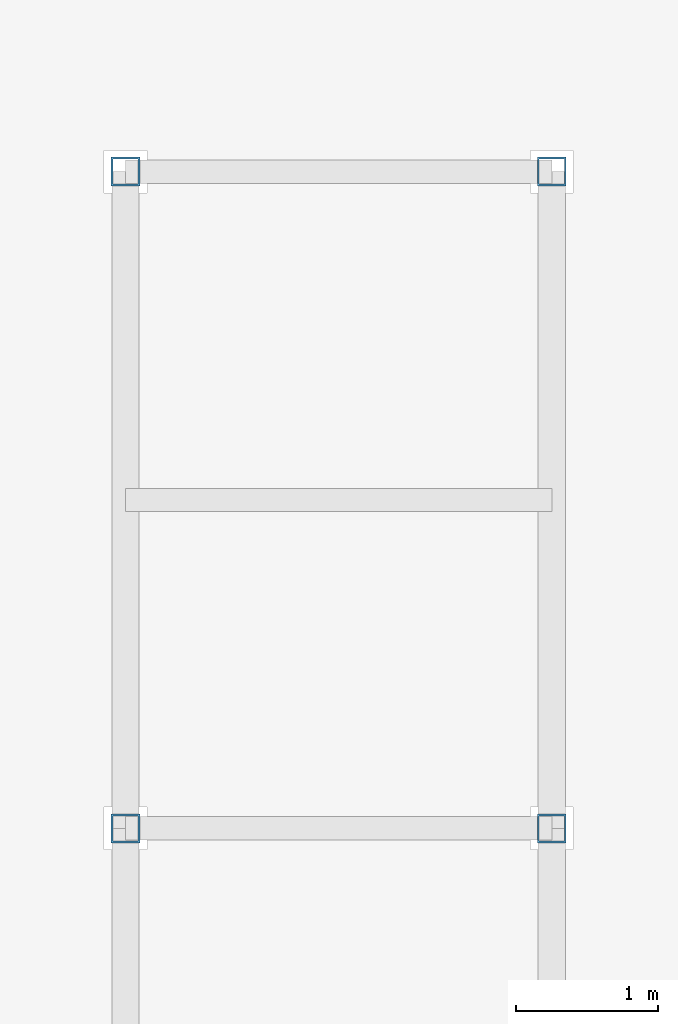
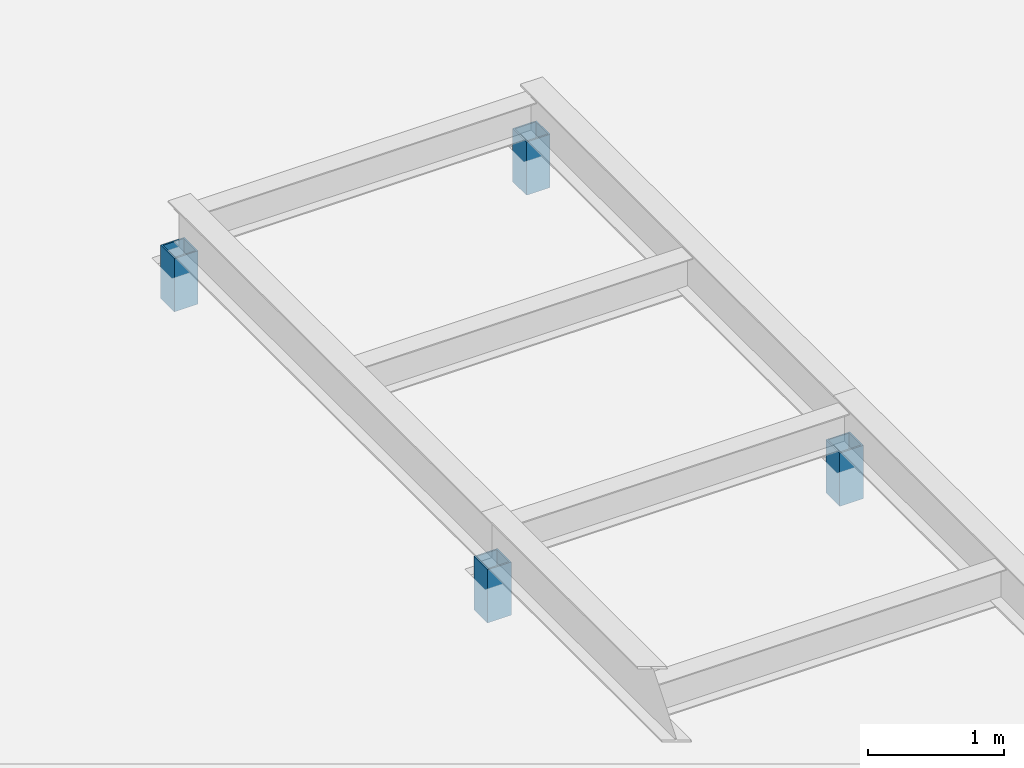
# One storey, part 6 of 17: 4 members.
"""IFC4 building model written with IfcOpenShell, lengths in metres."""

from ifc_helpers import new_model, si_unit, direction, frame, origin, origin_2d, place, context, subcontext, project, spatial, hollow_rectangle, extrude, material, material_profile, profile_set, type_object, element, save


model = new_model("IFC4")

# Units and contexts
model_context = context("Model", 3, precision=1e-05, world=origin(), true_north=direction((0.0, 1.0)))
body_context = subcontext(model_context, "Body", "Model", "MODEL_VIEW")
ifc_project = project(units=[si_unit("LENGTHUNIT", "METRE"), si_unit("AREAUNIT", "SQUARE_METRE"), si_unit("VOLUMEUNIT", "CUBIC_METRE"), si_unit("PLANEANGLEUNIT", "RADIAN"), si_unit("MASSUNIT", "GRAM", prefix="KILO")], contexts=[model_context])

# Site, building, storey
site_placement = place(None, origin())
site = spatial("IfcSite", under=ifc_project, at=site_placement, CompositionType="ELEMENT")
building_placement = place(site_placement, origin())
building = spatial("IfcBuilding", under=site, at=building_placement, Name="Jalousie Tower", CompositionType="ELEMENT")
storey_placement = place(building_placement, frame((0.0, 0.0, 16.0)))
storey = spatial("IfcBuildingStorey", under=building, at=storey_placement, Name="L03", CompositionType="ELEMENT", Elevation=16.0)

# Members
ifc_material = material(Name="Steel ASTM A500 Grade C", Category="steel")
ifc_material_profile = material_profile(ifc_material, hollow_rectangle(XDim=0.203125, YDim=0.203125, WallThickness=0.0126953125, at=origin_2d()), Name="HSS8X8X1/2")
ifc_profile_set = profile_set([ifc_material_profile], Name="Steel ASTM A500 Grade C")
member_type = type_object("IfcMemberType", Name="PLANT SUPPORT STOOL HSS8X8X1/2", PredefinedType="POST", material=ifc_profile_set)
for number, where, z_axis, x_axis, name in (
    (1, (-4.574951171875, 27.155517578125, -0.280029296875), (0.0, 0.0, 1.0), (1.0, 0.0, 0.0), "Plant support stool Mechanical plant room L03"),
    (2, (-1.574951171875, 27.155517578125, -0.280029296875), (0.0, 0.0, 1.0), (1.0, 0.0, 0.0), "Plant support stool Mechanical plant room L03"),
    (3, (-4.574951171875, 31.77783203125, -0.280029296875), (0.0, 0.0, 1.0), (1.0, 0.0, 0.0), "Plant support stool Mechanical plant room L03"),
    (4, (-1.574951171875, 31.77783203125, -0.280029296875), (0.0, 0.0, 1.0), (1.0, 0.0, 0.0), "Plant support stool Mechanical plant room L03"),
):
    element("IfcMember", number, at=place(storey_placement, frame(where, z_axis=z_axis, x_axis=x_axis)), inside=storey, type_object=member_type, Name=name, PredefinedType="POST", context=body_context, shape_type="SweptSolid", body=[
        extrude(hollow_rectangle(XDim=0.203125, YDim=0.203125, WallThickness=0.0126953125, at=origin_2d()), origin(), (0.0, 0.0, 1.0), 0.47998046875),
    ])

save(model, "model.ifc")
